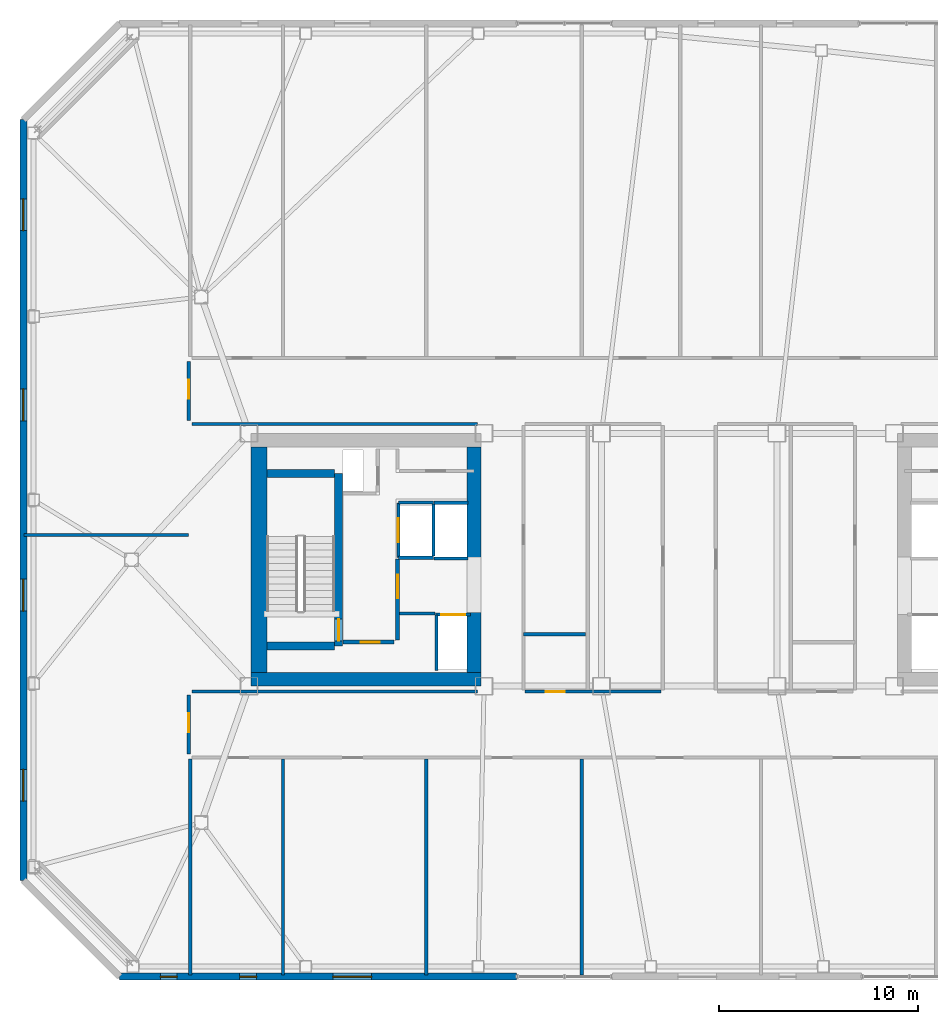
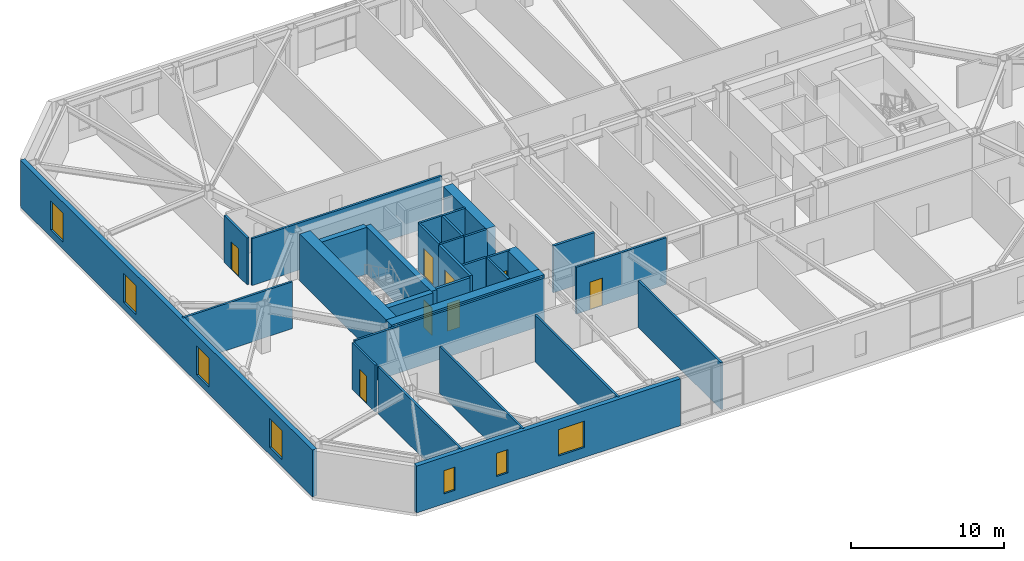
# One storey, part 10 of 18: 31 walls, 8 doors, 7 windows, 15 openings.
"""IFC4 building model written with IfcOpenShell, lengths in metres."""

import ifcopenshell
import ifcopenshell.guid

model = None  # the IFC model being written
_history = None  # IfcOwnerHistory: only IFC2X3 demands one
_inside = {}  # id of a spatial element -> (the spatial element, [elements in it])
_under = {}  # id of a project, library or spatial element -> (it, [spatial elements below it])
_declared = {}  # id of a project -> (the project, [libraries it declares])
_typed = {}  # id of a type object -> (the type object, [elements of that type])
_made_of = {}  # id of a material, layer set ... -> (it, [elements and type objects made of it])


def new_model(schema):
    """Start an empty IFC model of exactly this schema.

    Asked for "IFC4X3", IfcOpenShell would pick the latest addendum, in which some entities
    have other attributes; the version numbers below select the first issue.
    IFC2X3 requires an IfcOwnerHistory on every rooted entity: one is made here for all.
    """
    global model, _history
    if schema == "IFC4X3":
        model = ifcopenshell.file(schema_version=(4, 3, 0, 0))
    else:
        model = ifcopenshell.file(schema=schema)
    _inside.clear()
    _under.clear()
    _declared.clear()
    _typed.clear()
    _made_of.clear()
    _history = None
    if model.schema == "IFC2X3":
        org = make("IfcOrganization", Name="unknown")
        user = make(
            "IfcPersonAndOrganization",
            ThePerson=make("IfcPerson", FamilyName="unknown"),
            TheOrganization=org,
        )
        app = make(
            "IfcApplication",
            ApplicationDeveloper=org,
            Version="unknown",
            ApplicationFullName="unknown",
            ApplicationIdentifier="unknown",
        )
        _history = make(
            "IfcOwnerHistory",
            OwningUser=user,
            OwningApplication=app,
            ChangeAction="ADDED",
            CreationDate=0,
        )
    return model


def make(cls, **values):
    """One entity of the class cls with the attributes given. An attribute that is None is left unset."""
    return model.create_entity(
        cls, **{name: value for name, value in values.items() if value is not None}
    )


def rooted(cls, **values):
    """An entity with a GlobalId (a new one), such as an element, a storey or a relation."""
    return make(cls, GlobalId=ifcopenshell.guid.new(), OwnerHistory=_history, **values)


def si_unit(unit_type, name, prefix=None):
    """IfcSIUnit, for example si_unit("LENGTHUNIT", "METRE", prefix="MILLI")."""
    return make("IfcSIUnit", UnitType=unit_type, Prefix=prefix, Name=name)


def assignment(units):
    """IfcUnitAssignment: the units of a project."""
    return None if units is None else make("IfcUnitAssignment", Units=units)


def point(xyz):
    """IfcCartesianPoint."""
    return None if xyz is None else make("IfcCartesianPoint", Coordinates=xyz)


def direction(xyz):
    """IfcDirection."""
    return None if xyz is None else make("IfcDirection", DirectionRatios=xyz)


def frame(location, z_axis=None, x_axis=None):
    """IfcAxis2Placement3D, a coordinate frame: its origin and axes. An axis left out is left unset."""
    return make(
        "IfcAxis2Placement3D",
        Location=point(location),
        Axis=direction(z_axis),
        RefDirection=direction(x_axis),
    )


def frame_2d(location, x_axis=None):
    """IfcAxis2Placement2D, a coordinate frame in the plane: its origin and x axis."""
    return make(
        "IfcAxis2Placement2D", Location=point(location), RefDirection=direction(x_axis)
    )


def origin():
    """The frame at (0, 0, 0) with its axes left unset."""
    return frame((0.0, 0.0, 0.0))


def place(relative_to, where):
    """IfcLocalPlacement: puts the frame where relative to a parent placement (None: the world)."""
    return make(
        "IfcLocalPlacement", PlacementRelTo=relative_to, RelativePlacement=where
    )


def context(
    kind, dimensions, precision=None, world=None, true_north=None, identifier=None
):
    """IfcGeometricRepresentationContext, for example the 3D "Model" context."""
    return make(
        "IfcGeometricRepresentationContext",
        ContextIdentifier=identifier,
        ContextType=kind,
        CoordinateSpaceDimension=dimensions,
        Precision=precision,
        WorldCoordinateSystem=world,
        TrueNorth=true_north,
    )


def subcontext(parent, identifier, kind, view, scale=None):
    """IfcGeometricRepresentationSubContext, for example "Body" below "Model"."""
    return make(
        "IfcGeometricRepresentationSubContext",
        ContextIdentifier=identifier,
        ContextType=kind,
        ParentContext=parent,
        TargetScale=scale,
        TargetView=view,
    )


def project(units=None, contexts=None):
    """IfcProject with its units and contexts."""
    return rooted(
        "IfcProject",
        Name="project",
        RepresentationContexts=contexts,
        UnitsInContext=assignment(units),
    )


def spatial(cls, under=None, at=None, **own):
    """A site, building, storey or space (cls), placed at a placement, below another one or the project."""
    s = rooted(cls, ObjectPlacement=at, **own)
    if under is not None:
        _under.setdefault(under.id(), (under, []))[1].append(s)
    return s


def profile(cls, at=None, kind="AREA", **sizes):
    """A parametric profile (cls). Its sizes go by their IFC names, for example OverallWidth=200.0."""
    return make(cls, ProfileType=kind, Position=at, **sizes)


def rectangle(**sizes):
    """IfcRectangleProfileDef."""
    return profile("IfcRectangleProfileDef", **sizes)


def extrude(swept, where, along, depth):
    """IfcExtrudedAreaSolid: the profile swept, set in the frame where, extruded along a direction by depth."""
    return make(
        "IfcExtrudedAreaSolid",
        SweptArea=swept,
        Position=where,
        ExtrudedDirection=direction(along),
        Depth=depth,
    )


def shape(context_of_items, identifier, shape_type, items):
    """IfcShapeRepresentation: the items that make up one representation, for example the "Body"."""
    return make(
        "IfcShapeRepresentation",
        ContextOfItems=context_of_items,
        RepresentationIdentifier=identifier,
        RepresentationType=shape_type,
        Items=items,
    )


def material(Name=None, Category=None):
    """IfcMaterial."""
    return make("IfcMaterial", Name=Name, Category=Category)


def layer(
    of_material, thickness, ventilated=None, Name=None, Category=None, Priority=None
):
    """IfcMaterialLayer: one layer of a wall or slab, of a material (None: an air gap)."""
    return make(
        "IfcMaterialLayer",
        Material=of_material,
        LayerThickness=thickness,
        IsVentilated=ventilated,
        Name=Name,
        Category=Category,
        Priority=Priority,
    )


def layer_set(layers, Name=None):
    """IfcMaterialLayerSet."""
    return make("IfcMaterialLayerSet", MaterialLayers=layers, LayerSetName=Name)


def made_of(thing, what):
    """Note that an element or type object is made of a material, layer set ...; save() writes the relation."""
    if what is not None:
        _made_of.setdefault(what.id(), (what, []))[1].append(thing)
    return thing


def type_object(cls, material=None, **own):
    """A type object (cls), such as IfcWallType, which elements share."""
    return made_of(rooted(cls, **own), material)


def element(
    cls,
    number,
    at=None,
    inside=None,
    cuts=None,
    type_object=None,
    material=None,
    context=None,
    identifier="Body",
    shape_type=None,
    held_by="IfcProductDefinitionShape",
    body=None,
    shapes=None,
    **own,
):
    """One element of the class cls, such as IfcWall. Its Tag is "e" and its number.

    at: its placement. inside: the storey or other place that contains it. cuts: it is an
    opening in that element (IfcRelVoidsElement). A single representation is given by context,
    identifier, shape_type and body (its items); several are given by shapes. held_by: the class
    of the entity that holds the representations. save() writes the other relations.
    """
    e = rooted(cls, Tag="e%d" % number, ObjectPlacement=at, **own)
    if body is not None:
        shapes = [shape(context, identifier, shape_type, body)]
    if shapes is not None:
        e.Representation = make(held_by, Representations=shapes)
    if inside is not None:
        _inside.setdefault(inside.id(), (inside, []))[1].append(e)
    if cuts is not None:
        rooted(
            "IfcRelVoidsElement", RelatingBuildingElement=cuts, RelatedOpeningElement=e
        )
    if type_object is not None:
        _typed.setdefault(type_object.id(), (type_object, []))[1].append(e)
    return made_of(e, material)


def fill(opening, filler):
    """IfcRelFillsElement: the door or window that sits in an opening."""
    return rooted(
        "IfcRelFillsElement",
        RelatingOpeningElement=opening,
        RelatedBuildingElement=filler,
    )


def aggregate(whole, parts):
    """IfcRelAggregates: a whole, such as a stair, and the parts it consists of."""
    return rooted("IfcRelAggregates", RelatingObject=whole, RelatedObjects=parts)


def save(model, path):
    """Write the relations noted so far, then the file.

    IfcRelAggregates (storeys below a building ...), IfcRelContainedInSpatialStructure (elements
    in a storey), IfcRelDefinesByType, IfcRelAssociatesMaterial and IfcRelDeclares: one each for
    every whole, place, type object, material and project.
    """
    for whole, parts in _under.values():
        aggregate(whole, parts)
    for where, things in _inside.values():
        rooted(
            "IfcRelContainedInSpatialStructure",
            RelatedElements=things,
            RelatingStructure=where,
        )
    for kind, things in _typed.values():
        rooted("IfcRelDefinesByType", RelatedObjects=things, RelatingType=kind)
    for what, things in _made_of.values():
        rooted("IfcRelAssociatesMaterial", RelatedObjects=things, RelatingMaterial=what)
    for by, libraries in _declared.values():
        rooted("IfcRelDeclares", RelatingContext=by, RelatedDefinitions=libraries)
    model.write(path)


model = new_model("IFC4")

# Units and contexts
model_context = context("Model", 3, precision=1e-05, world=origin(), true_north=direction((0.0, 1.0)))
body_context = subcontext(model_context, "Body", "Model", "MODEL_VIEW")
ifc_project = project(units=[si_unit("LENGTHUNIT", "METRE"), si_unit("AREAUNIT", "SQUARE_METRE"), si_unit("VOLUMEUNIT", "CUBIC_METRE"), si_unit("PLANEANGLEUNIT", "RADIAN"), si_unit("MASSUNIT", "GRAM", prefix="KILO")], contexts=[model_context])

# Site, building, storey
site_placement = place(None, origin())
site = spatial("IfcSite", under=ifc_project, at=site_placement, CompositionType="ELEMENT")
building_placement = place(site_placement, origin())
building = spatial("IfcBuilding", under=site, at=building_placement, Name="Tavrogorsk Clinical Tower", CompositionType="ELEMENT")
storey_placement = place(building_placement, frame((0.0, 0.0, 192.199951171875)))
storey = spatial("IfcBuildingStorey", under=building, at=storey_placement, Name="L44", CompositionType="ELEMENT", Elevation=192.199951171875)

# Wall, opening, door
ifc_material_1 = material(Name="Concrete B60", Category="concrete")
ifc_layer_1 = layer(ifc_material_1, 0.199951171875)
ifc_layer_set_1 = layer_set([ifc_layer_1], Name="Concrete B60")
wall_type_1 = type_object("IfcWallType", Name="CoreFireWall_200", PredefinedType="SOLIDWALL", material=ifc_layer_set_1)
wall_1_placement = place(storey_placement, frame((-17.3798828125, -4.139892578125, 0.0), z_axis=(0.0, 0.0, 1.0), x_axis=(1.0, 0.0, 0.0)))
wall_1 = element("IfcWall", 1, at=wall_1_placement, inside=storey, type_object=wall_type_1, Name="L44 Core West South Core Room Fire Wall", PredefinedType="SOLIDWALL", context=body_context, shape_type="SweptSolid", body=[
    extrude(rectangle(XDim=2.554931640625, YDim=0.199951171875, at=frame_2d((1.27734375, 0.0))), origin(), (0.0, 0.0, 1.0), 3.739990234375),
])
opening_1_placement = place(wall_1_placement, frame((0.8798828125, 0.0, 0.0)))
opening_1 = element("IfcOpeningElement", 2, at=opening_1_placement, cuts=wall_1, Name="Opening ID-02", PredefinedType="OPENING", context=body_context, shape_type="SweptSolid", body=[
    extrude(rectangle(XDim=0.949951171875, YDim=2.199951171875, at=frame_2d((0.47509765625, 1.10009765625))), frame((0.0, 0.10986328125, 0.0), z_axis=(0.0, -1.0, 0.0), x_axis=(1.0, 0.0, 0.0)), (0.0, 0.0, 1.0), 0.219970703125),
])
ifc_material_2 = material(Name="Laminated timber leaf on aluminium frame", Category="wood")
door_type_1 = type_object("IfcDoorType", Name="InteriorDoor_ID02_950", OperationType="NOTDEFINED", PredefinedType="DOOR", material=ifc_material_2)
door_1_placement = place(opening_1_placement, origin())
door_1 = element("IfcDoor", 3, at=door_1_placement, inside=storey, type_object=door_type_1, Name="L44 Core West South Core Room Door", OperationType="SINGLE_SWING_RIGHT", OverallHeight=2.199951171875, OverallWidth=0.949951171875, PredefinedType="DOOR", context=body_context, shape_type="SweptSolid", body=[
    extrude(rectangle(XDim=0.949951171875, YDim=2.199951171875, at=frame_2d((0.47509765625, 1.10009765625))), frame((0.0, 0.02490234375, 0.0), z_axis=(0.0, -1.0, 0.0), x_axis=(1.0, 0.0, 0.0)), (0.0, 0.0, 1.0), 0.050048828125),
])
fill(opening_1, door_1)

wall_2_placement = place(storey_placement, frame((-14.639892578125, -4.034912109375, 0.0), z_axis=(0.0, 0.0, 1.0), x_axis=(0.0, 1.0, 0.0)))
wall_2 = element("IfcWall", 4, at=wall_2_placement, inside=storey, type_object=wall_type_1, Name="L44 Core West Firefighting Lobby Fire Wall", PredefinedType="SOLIDWALL", context=body_context, shape_type="SweptSolid", body=[
    extrude(rectangle(XDim=4.074951171875, YDim=0.199951171875, at=frame_2d((2.03759765625, 0.0))), origin(), (0.0, 0.0, 1.0), 3.739990234375),
])
opening_2_placement = place(wall_2_placement, frame((2.090087890625, 0.0, 0.0)))
opening_2 = element("IfcOpeningElement", 5, at=opening_2_placement, cuts=wall_2, Name="Opening FD-01", PredefinedType="OPENING", context=body_context, shape_type="SweptSolid", body=[
    extrude(rectangle(XDim=1.199951171875, YDim=2.199951171875, at=frame_2d((0.60009765625, 1.10009765625))), frame((0.0, 0.10986328125, 0.0), z_axis=(0.0, -1.0, 0.0), x_axis=(1.0, 0.0, 0.0)), (0.0, 0.0, 1.0), 0.219970703125),
])
ifc_material_3 = material(Name="Galvanised steel fire-rated door assembly", Category="steel")
door_type_2 = type_object("IfcDoorType", Name="FireDoor_FD01_1200", OperationType="NOTDEFINED", PredefinedType="DOOR", material=ifc_material_3)
door_2_placement = place(opening_2_placement, origin())
door_2 = element("IfcDoor", 6, at=door_2_placement, inside=storey, type_object=door_type_2, Name="L44 Core West Firefighting Lobby Entry Door", OperationType="SINGLE_SWING_RIGHT", OverallHeight=2.199951171875, OverallWidth=1.199951171875, PredefinedType="DOOR", context=body_context, shape_type="SweptSolid", body=[
    extrude(rectangle(XDim=1.199951171875, YDim=2.199951171875, at=frame_2d((0.60009765625, 1.10009765625))), frame((0.0, 0.02490234375, 0.0), z_axis=(0.0, -1.0, 0.0), x_axis=(1.0, 0.0, 0.0)), (0.0, 0.0, 1.0), 0.050048828125),
])
fill(opening_2, door_2)

# Wall
ifc_material_4 = material(Name="Lightweight concrete blockwork B15", Category="masonry")
ifc_layer_2 = layer(ifc_material_4, 0.159912109375)
ifc_layer_set_2 = layer_set([ifc_layer_2], Name="Lightweight concrete blockwork B15")
wall_type_2 = type_object("IfcWallType", Name="PartitionWall_160", PredefinedType="PARTITIONING", material=ifc_layer_set_2)
wall_3_placement = place(storey_placement, frame((-14.534912109375, -2.699951171875, 0.0), z_axis=(0.0, 0.0, 1.0), x_axis=(1.0, 0.0, 0.0)))
element("IfcWall", 7, at=wall_3_placement, inside=storey, type_object=wall_type_2, Name="L44 Core West Freed Low-Bank North Partition", PredefinedType="PARTITIONING", context=body_context, shape_type="SweptSolid", body=[
    extrude(rectangle(XDim=1.760009765625, YDim=0.159912109375, at=frame_2d((0.8798828125, 0.0))), origin(), (0.0, 0.0, 1.0), 3.739990234375),
])

# Wall, opening, door
wall_4_placement = place(storey_placement, frame((-25.1298828125, -9.764892578125, 0.0), z_axis=(0.0, 0.0, 1.0), x_axis=(0.0, 1.0, 0.0)))
wall_4 = element("IfcWall", 8, at=wall_4_placement, inside=storey, type_object=wall_type_2, Name="L44 Corridor Partition 01", PredefinedType="PARTITIONING", context=body_context, shape_type="SweptSolid", body=[
    extrude(rectangle(XDim=2.97998046875, YDim=0.159912109375, at=frame_2d((1.489990234375, 0.0))), origin(), (0.0, 0.0, 1.0), 3.739990234375),
])
opening_3_placement = place(wall_4_placement, frame((1.10009765625, 0.0, 0.0)))
opening_3 = element("IfcOpeningElement", 9, at=opening_3_placement, cuts=wall_4, Name="Opening ID-02", PredefinedType="OPENING", context=body_context, shape_type="SweptSolid", body=[
    extrude(rectangle(XDim=0.949951171875, YDim=2.199951171875, at=frame_2d((0.47509765625, 1.10009765625))), frame((0.0, 0.08984375, 0.0), z_axis=(0.0, -1.0, 0.0), x_axis=(1.0, 0.0, 0.0)), (0.0, 0.0, 1.0), 0.179931640625),
])
door_3_placement = place(opening_3_placement, origin())
door_3 = element("IfcDoor", 10, at=door_3_placement, inside=storey, type_object=door_type_1, Name="L44 W Solarium Day Room & Lounge 1 Door", OperationType="SINGLE_SWING_RIGHT", OverallHeight=2.199951171875, OverallWidth=0.949951171875, PredefinedType="DOOR", context=body_context, shape_type="SweptSolid", body=[
    extrude(rectangle(XDim=0.949951171875, YDim=2.199951171875, at=frame_2d((0.47509765625, 1.10009765625))), frame((0.0, 0.02490234375, 0.0), z_axis=(0.0, -1.0, 0.0), x_axis=(1.0, 0.0, 0.0)), (0.0, 0.0, 1.0), 0.050048828125),
])
fill(opening_3, door_3)

# Walls
for number, where, z_axis, x_axis, name in (
    (11, (-24.965087890625, -6.6201171875, 0.0), (0.0, 0.0, 1.0), (1.0, 0.0, 0.0), "L44 Corridor Partition 02"),
    (12, (-10.6298828125, 6.820068359375, 0.0), (0.0, 0.0, 1.0), (-1.0, 0.0, 0.0), "L44 Corridor Partition 03"),
):
    element("IfcWall", number, at=place(storey_placement, frame(where, z_axis=z_axis, x_axis=x_axis)), inside=storey, type_object=wall_type_2, Name=name, PredefinedType="PARTITIONING", context=body_context, shape_type="SweptSolid", body=[
        extrude(rectangle(XDim=14.335205078125, YDim=0.159912109375, at=frame_2d((7.16748046875, 0.0))), origin(), (0.0, 0.0, 1.0), 3.739990234375),
    ])

# Wall, opening, door
wall_5_placement = place(storey_placement, frame((-25.1298828125, 6.985107421875, 0.0), z_axis=(0.0, 0.0, 1.0), x_axis=(0.0, 1.0, 0.0)))
wall_5 = element("IfcWall", 13, at=wall_5_placement, inside=storey, type_object=wall_type_2, Name="L44 Corridor Partition 04", PredefinedType="PARTITIONING", context=body_context, shape_type="SweptSolid", body=[
    extrude(rectangle(XDim=2.97998046875, YDim=0.159912109375, at=frame_2d((1.489990234375, 0.0))), origin(), (0.0, 0.0, 1.0), 3.739990234375),
])
opening_4_placement = place(wall_5_placement, frame((1.10009765625, 0.0, 0.0)))
opening_4 = element("IfcOpeningElement", 14, at=opening_4_placement, cuts=wall_5, Name="Opening ID-02", PredefinedType="OPENING", context=body_context, shape_type="SweptSolid", body=[
    extrude(rectangle(XDim=0.949951171875, YDim=2.199951171875, at=frame_2d((0.47509765625, 1.10009765625))), frame((0.0, 0.08984375, 0.0), z_axis=(0.0, -1.0, 0.0), x_axis=(1.0, 0.0, 0.0)), (0.0, 0.0, 1.0), 0.179931640625),
])
door_4_placement = place(opening_4_placement, origin())
door_4 = element("IfcDoor", 15, at=door_4_placement, inside=storey, type_object=door_type_1, Name="L44 W Rehabilitation Therapy Suite 2 Door", OperationType="SINGLE_SWING_LEFT", OverallHeight=2.199951171875, OverallWidth=0.949951171875, PredefinedType="DOOR", context=body_context, shape_type="SweptSolid", body=[
    extrude(rectangle(XDim=0.949951171875, YDim=2.199951171875, at=frame_2d((0.47509765625, 1.10009765625))), frame((0.0, 0.02490234375, 0.0), z_axis=(0.0, -1.0, 0.0), x_axis=(1.0, 0.0, 0.0)), (0.0, 0.0, 1.0), 0.050048828125),
])
fill(opening_4, door_4)

wall_6_placement = place(storey_placement, frame((-8.235107421875, -6.6201171875, 0.0), z_axis=(0.0, 0.0, 1.0), x_axis=(1.0, 0.0, 0.0)))
wall_6 = element("IfcWall", 16, at=wall_6_placement, inside=storey, type_object=wall_type_2, Name="L44 Corridor Partition 18", PredefinedType="PARTITIONING", context=body_context, shape_type="SweptSolid", body=[
    extrude(rectangle(XDim=6.820068359375, YDim=0.159912109375, at=frame_2d((3.41015625, 0.0))), origin(), (0.0, 0.0, 1.0), 3.739990234375),
])
opening_5_placement = place(wall_6_placement, frame((1.029052734375, 0.0, 0.0)))
opening_5 = element("IfcOpeningElement", 17, at=opening_5_placement, cuts=wall_6, Name="Opening ID-02", PredefinedType="OPENING", context=body_context, shape_type="SweptSolid", body=[
    extrude(rectangle(XDim=0.949951171875, YDim=2.199951171875, at=frame_2d((0.47509765625, 1.10009765625))), frame((0.0, 0.08984375, 0.0), z_axis=(0.0, -1.0, 0.0), x_axis=(1.0, 0.0, 0.0)), (0.0, 0.0, 1.0), 0.179931640625),
])
door_5_placement = place(opening_5_placement, origin())
door_5 = element("IfcDoor", 18, at=door_5_placement, inside=storey, type_object=door_type_1, Name="L44 Accessible Patient Lavatory Door", OperationType="SINGLE_SWING_RIGHT", OverallHeight=2.199951171875, OverallWidth=0.949951171875, PredefinedType="DOOR", context=body_context, shape_type="SweptSolid", body=[
    extrude(rectangle(XDim=0.949951171875, YDim=2.199951171875, at=frame_2d((0.47509765625, 1.10009765625))), frame((0.0, 0.02490234375, 0.0), z_axis=(0.0, -1.0, 0.0), x_axis=(1.0, 0.0, 0.0)), (0.0, 0.0, 1.0), 0.050048828125),
])
fill(opening_5, door_5)

# Walls
for number, where, z_axis, x_axis, name in (
    (19, (-25.050048828125, -20.860107421875, 0.0), (0.0, 0.0, 1.0), (0.0, 1.0, 0.0), "L44 SW Wing Closure Partition"),
    (20, (-20.39990234375, -20.860107421875, 0.0), (0.0, 0.0, 1.0), (0.0, 1.0, 0.0), "L44 South Room Partition 1"),
    (21, (-13.199951171875, -20.860107421875, 0.0), (0.0, 0.0, 1.0), (0.0, 1.0, 0.0), "L44 South Room Partition 2"),
    (22, (-5.39990234375, -20.860107421875, 0.0), (0.0, 0.0, 1.0), (0.0, 1.0, 0.0), "L44 South Room Partition 3"),
):
    element("IfcWall", number, at=place(storey_placement, frame(where, z_axis=z_axis, x_axis=x_axis)), inside=storey, type_object=wall_type_2, Name=name, PredefinedType="PARTITIONING", context=body_context, shape_type="SweptSolid", body=[
        extrude(rectangle(XDim=10.84521484375, YDim=0.159912109375, at=frame_2d((5.422607421875, 0.0))), origin(), (0.0, 0.0, 1.0), 3.739990234375),
    ])
wall_7_placement = place(storey_placement, frame((-33.409912109375, 1.25, 0.0), z_axis=(0.0, 0.0, 1.0), x_axis=(1.0, 0.0, 0.0)))
element("IfcWall", 23, at=wall_7_placement, inside=storey, type_object=wall_type_2, Name="L44 W Wing Divider 1", PredefinedType="PARTITIONING", context=body_context, shape_type="SweptSolid", body=[
    extrude(rectangle(XDim=8.280029296875, YDim=0.159912109375, at=frame_2d((4.14013671875, 0.0))), origin(), (0.0, 0.0, 1.0), 3.739990234375),
])
ifc_material_5 = material(Name="Lightweight concrete blockwork B20", Category="masonry")
ifc_layer_3 = layer(ifc_material_5, 0.179931640625)
ifc_layer_set_3 = layer_set([ifc_layer_3], Name="Lightweight concrete blockwork B20")
wall_type_3 = type_object("IfcWallType", Name="PartitionWall_180", PredefinedType="PARTITIONING", material=ifc_layer_set_3)
wall_8_placement = place(storey_placement, frame((-8.31494140625, -3.75, 0.0), z_axis=(0.0, 0.0, 1.0), x_axis=(1.0, 0.0, 0.0)))
element("IfcWall", 24, at=wall_8_placement, inside=storey, type_object=wall_type_3, Name="L44 Central Spine Partition 3", PredefinedType="PARTITIONING", context=body_context, shape_type="SweptSolid", body=[
    extrude(rectangle(XDim=3.119873046875, YDim=0.179931640625, at=frame_2d((1.56005859375, 0.0))), origin(), (0.0, 0.0, 1.0), 3.739990234375),
])

# Wall, openings, windows
ifc_material_6 = material(Name="Precast concrete B45 with limestone cladding", Category="masonry")
ifc_layer_4 = layer(ifc_material_6, 0.340087890625)
ifc_layer_set_4 = layer_set([ifc_layer_4], Name="Precast concrete B45 with limestone cladding")
wall_type_4 = type_object("IfcWallType", Name="PrecastLimestoneWall_340", PredefinedType="STANDARD", material=ifc_layer_set_4)
wall_9_placement = place(storey_placement, frame((-28.60009765625, -20.929931640625, 0.0), z_axis=(0.0, 0.0, 1.0), x_axis=(1.0, 0.0, 0.0)))
wall_9 = element("IfcWall", 25, at=wall_9_placement, inside=storey, type_object=wall_type_4, Name="L44 S Limestone Facade Wall 1", PredefinedType="STANDARD", context=body_context, shape_type="SweptSolid", body=[
    extrude(rectangle(XDim=19.937255859375, YDim=0.340087890625, at=frame_2d((9.96875, 0.0))), origin(), (0.0, 0.0, 1.0), 3.739990234375),
])
opening_6_placement = place(wall_9_placement, frame((2.0439453125, 0.0, 0.800048828125)))
opening_6 = element("IfcOpeningElement", 26, at=opening_6_placement, cuts=wall_9, Name="Opening WN-06", PredefinedType="OPENING", context=body_context, shape_type="SweptSolid", body=[
    extrude(rectangle(XDim=0.85009765625, YDim=1.85009765625, at=frame_2d((0.425048828125, 0.925048828125))), frame((0.0, 0.179931640625, 0.0), z_axis=(0.0, -1.0, 0.0), x_axis=(1.0, 0.0, 0.0)), (0.0, 0.0, 1.0), 0.360107421875),
])
opening_7_placement = place(wall_9_placement, frame((6.02880859375, 0.0, 0.800048828125)))
opening_7 = element("IfcOpeningElement", 27, at=opening_7_placement, cuts=wall_9, Name="Opening WN-06", PredefinedType="OPENING", context=body_context, shape_type="SweptSolid", body=[
    extrude(rectangle(XDim=0.85009765625, YDim=1.85009765625, at=frame_2d((0.425048828125, 0.925048828125))), frame((0.0, 0.179931640625, 0.0), z_axis=(0.0, -1.0, 0.0), x_axis=(1.0, 0.0, 0.0)), (0.0, 0.0, 1.0), 0.360107421875),
])
opening_8_placement = place(wall_9_placement, frame((10.706787109375, 0.0, 0.800048828125)))
opening_8 = element("IfcOpeningElement", 28, at=opening_8_placement, cuts=wall_9, Name="Opening WN-13", PredefinedType="OPENING", context=body_context, shape_type="SweptSolid", body=[
    extrude(rectangle(XDim=1.949951171875, YDim=2.10009765625, at=frame_2d((0.97509765625, 1.050048828125))), frame((0.0, 0.179931640625, 0.0), z_axis=(0.0, -1.0, 0.0), x_axis=(1.0, 0.0, 0.0)), (0.0, 0.0, 1.0), 0.360107421875),
])
ifc_material_7 = material(Name="Thermally broken aluminium frame and triple IGU", Category="aluminium")
window_type_1 = type_object("IfcWindowType", Name="ExamRoomWin_1950x2100", PartitioningType="DOUBLE_PANEL_VERTICAL", PredefinedType="WINDOW", material=ifc_material_7)
window_1_placement = place(opening_8_placement, origin())
window_1 = element("IfcWindow", 29, at=window_1_placement, inside=storey, type_object=window_type_1, Name="L44 S Chicago Window 03", OverallHeight=2.10009765625, OverallWidth=1.949951171875, PartitioningType="SINGLE_PANEL", PredefinedType="WINDOW", context=body_context, shape_type="SweptSolid", body=[
    extrude(rectangle(XDim=1.949951171875, YDim=2.10009765625, at=frame_2d((0.97509765625, 1.050048828125))), frame((0.0, 0.030029296875, 0.0), z_axis=(0.0, -1.0, 0.0), x_axis=(1.0, 0.0, 0.0)), (0.0, 0.0, 1.0), 0.06005859375),
])
fill(opening_8, window_1)
ifc_material_8 = material(Name="Thermally broken aluminium frame and triple IGU", Category="aluminium")
window_type_2 = type_object("IfcWindowType", Name="MullionSubWin_850x1850", PartitioningType="SINGLE_PANEL", PredefinedType="WINDOW", material=ifc_material_8)
window_2_placement = place(opening_6_placement, origin())
window_2 = element("IfcWindow", 30, at=window_2_placement, inside=storey, type_object=window_type_2, Name="L44 S Mullion Split Window 01A", OverallHeight=1.85009765625, OverallWidth=0.85009765625, PartitioningType="SINGLE_PANEL", PredefinedType="WINDOW", context=body_context, shape_type="SweptSolid", body=[
    extrude(rectangle(XDim=0.85009765625, YDim=1.85009765625, at=frame_2d((0.425048828125, 0.925048828125))), frame((0.0, 0.030029296875, 0.0), z_axis=(0.0, -1.0, 0.0), x_axis=(1.0, 0.0, 0.0)), (0.0, 0.0, 1.0), 0.06005859375),
])
fill(opening_6, window_2)
window_3_placement = place(opening_7_placement, origin())
window_3 = element("IfcWindow", 31, at=window_3_placement, inside=storey, type_object=window_type_2, Name="L44 S Mullion Split Window 02A", OverallHeight=1.85009765625, OverallWidth=0.85009765625, PartitioningType="SINGLE_PANEL", PredefinedType="WINDOW", context=body_context, shape_type="SweptSolid", body=[
    extrude(rectangle(XDim=0.85009765625, YDim=1.85009765625, at=frame_2d((0.425048828125, 0.925048828125))), frame((0.0, 0.030029296875, 0.0), z_axis=(0.0, -1.0, 0.0), x_axis=(1.0, 0.0, 0.0)), (0.0, 0.0, 1.0), 0.06005859375),
])
fill(opening_7, window_3)

wall_10_placement = place(storey_placement, frame((-33.429931640625, 22.10009765625, 0.0), z_axis=(0.0, 0.0, 1.0), x_axis=(0.0, -1.0, 0.0)))
wall_10 = element("IfcWall", 32, at=wall_10_placement, inside=storey, type_object=wall_type_4, Name="L44 W Pleated Limestone Wing Wall", PredefinedType="STANDARD", context=body_context, shape_type="SweptSolid", body=[
    extrude(rectangle(XDim=38.2001953125, YDim=0.340087890625, at=frame_2d((19.10009765625, 0.0))), origin(), (0.0, 0.0, 1.0), 3.739990234375),
])
opening_9_placement = place(wall_10_placement, frame((3.97509765625, 0.0, 0.580078125)))
opening_9 = element("IfcOpeningElement", 33, at=opening_9_placement, cuts=wall_10, Name="Opening WN-07", PredefinedType="OPENING", context=body_context, shape_type="SweptSolid", body=[
    extrude(rectangle(XDim=1.60009765625, YDim=2.300048828125, at=frame_2d((0.800048828125, 1.14990234375))), frame((0.0, 0.179931640625, 0.0), z_axis=(0.0, -1.0, 0.0), x_axis=(1.0, 0.0, 0.0)), (0.0, 0.0, 1.0), 0.360107421875),
])
opening_10_placement = place(wall_10_placement, frame((13.52490234375, 0.0, 0.580078125)))
opening_10 = element("IfcOpeningElement", 34, at=opening_10_placement, cuts=wall_10, Name="Opening WN-07", PredefinedType="OPENING", context=body_context, shape_type="SweptSolid", body=[
    extrude(rectangle(XDim=1.60009765625, YDim=2.300048828125, at=frame_2d((0.800048828125, 1.14990234375))), frame((0.0, 0.179931640625, 0.0), z_axis=(0.0, -1.0, 0.0), x_axis=(1.0, 0.0, 0.0)), (0.0, 0.0, 1.0), 0.360107421875),
])
opening_11_placement = place(wall_10_placement, frame((23.074951171875, 0.0, 0.580078125)))
opening_11 = element("IfcOpeningElement", 35, at=opening_11_placement, cuts=wall_10, Name="Opening WN-07", PredefinedType="OPENING", context=body_context, shape_type="SweptSolid", body=[
    extrude(rectangle(XDim=1.60009765625, YDim=2.300048828125, at=frame_2d((0.800048828125, 1.14990234375))), frame((0.0, 0.179931640625, 0.0), z_axis=(0.0, -1.0, 0.0), x_axis=(1.0, 0.0, 0.0)), (0.0, 0.0, 1.0), 0.360107421875),
])
opening_12_placement = place(wall_10_placement, frame((32.625, 0.0, 0.580078125)))
opening_12 = element("IfcOpeningElement", 36, at=opening_12_placement, cuts=wall_10, Name="Opening WN-07", PredefinedType="OPENING", context=body_context, shape_type="SweptSolid", body=[
    extrude(rectangle(XDim=1.60009765625, YDim=2.300048828125, at=frame_2d((0.800048828125, 1.14990234375))), frame((0.0, 0.179931640625, 0.0), z_axis=(0.0, -1.0, 0.0), x_axis=(1.0, 0.0, 0.0)), (0.0, 0.0, 1.0), 0.360107421875),
])
ifc_material_9 = material(Name="Thermally broken aluminium frame and triple IGU", Category="aluminium")
window_type_3 = type_object("IfcWindowType", Name="PleatSlotWin_1600x2300", PartitioningType="SINGLE_PANEL", PredefinedType="WINDOW", material=ifc_material_9)
window_4_placement = place(opening_9_placement, origin())
window_4 = element("IfcWindow", 37, at=window_4_placement, inside=storey, type_object=window_type_3, Name="L44 W Pleat Slot Window 1", OverallHeight=2.300048828125, OverallWidth=1.60009765625, PartitioningType="SINGLE_PANEL", PredefinedType="WINDOW", context=body_context, shape_type="SweptSolid", body=[
    extrude(rectangle(XDim=1.60009765625, YDim=2.300048828125, at=frame_2d((0.800048828125, 1.14990234375))), frame((0.0, 0.030029296875, 0.0), z_axis=(0.0, -1.0, 0.0), x_axis=(1.0, 0.0, 0.0)), (0.0, 0.0, 1.0), 0.06005859375),
])
fill(opening_9, window_4)
window_5_placement = place(opening_10_placement, origin())
window_5 = element("IfcWindow", 38, at=window_5_placement, inside=storey, type_object=window_type_3, Name="L44 W Pleat Slot Window 2", OverallHeight=2.300048828125, OverallWidth=1.60009765625, PartitioningType="SINGLE_PANEL", PredefinedType="WINDOW", context=body_context, shape_type="SweptSolid", body=[
    extrude(rectangle(XDim=1.60009765625, YDim=2.300048828125, at=frame_2d((0.800048828125, 1.14990234375))), frame((0.0, 0.030029296875, 0.0), z_axis=(0.0, -1.0, 0.0), x_axis=(1.0, 0.0, 0.0)), (0.0, 0.0, 1.0), 0.06005859375),
])
fill(opening_10, window_5)
window_6_placement = place(opening_11_placement, origin())
window_6 = element("IfcWindow", 39, at=window_6_placement, inside=storey, type_object=window_type_3, Name="L44 W Pleat Slot Window 3", OverallHeight=2.300048828125, OverallWidth=1.60009765625, PartitioningType="SINGLE_PANEL", PredefinedType="WINDOW", context=body_context, shape_type="SweptSolid", body=[
    extrude(rectangle(XDim=1.60009765625, YDim=2.300048828125, at=frame_2d((0.800048828125, 1.14990234375))), frame((0.0, 0.030029296875, 0.0), z_axis=(0.0, -1.0, 0.0), x_axis=(1.0, 0.0, 0.0)), (0.0, 0.0, 1.0), 0.06005859375),
])
fill(opening_11, window_6)
window_7_placement = place(opening_12_placement, origin())
window_7 = element("IfcWindow", 40, at=window_7_placement, inside=storey, type_object=window_type_3, Name="L44 W Pleat Slot Window 4", OverallHeight=2.300048828125, OverallWidth=1.60009765625, PartitioningType="SINGLE_PANEL", PredefinedType="WINDOW", context=body_context, shape_type="SweptSolid", body=[
    extrude(rectangle(XDim=1.60009765625, YDim=2.300048828125, at=frame_2d((0.800048828125, 1.14990234375))), frame((0.0, 0.030029296875, 0.0), z_axis=(0.0, -1.0, 0.0), x_axis=(1.0, 0.0, 0.0)), (0.0, 0.0, 1.0), 0.06005859375),
])
fill(opening_12, window_7)

# Wall, opening, door
ifc_material_10 = material(Name="Lightweight concrete blockwork B25", Category="masonry")
ifc_layer_5 = layer(ifc_material_10, 0.159912109375)
ifc_layer_set_5 = layer_set([ifc_layer_5], Name="Lightweight concrete blockwork B25")
wall_type_5 = type_object("IfcWallType", Name="ShaftWall_160", PredefinedType="PARTITIONING", material=ifc_layer_set_5)
wall_11_placement = place(storey_placement, frame((-14.60009765625, 0.1201171875, 0.0), z_axis=(0.0, 0.0, 1.0), x_axis=(0.0, 1.0, 0.0)))
wall_11 = element("IfcWall", 41, at=wall_11_placement, inside=storey, type_object=wall_type_5, Name="L44 FFL-W Firefighting Lift Front Wall", PredefinedType="PARTITIONING", context=body_context, shape_type="SweptSolid", body=[
    extrude(rectangle(XDim=2.739990234375, YDim=0.159912109375, at=frame_2d((1.3701171875, 0.0))), origin(), (0.0, 0.0, 1.0), 3.739990234375),
])
opening_13_placement = place(wall_11_placement, frame((0.77001953125, 0.0, 0.0)))
opening_13 = element("IfcOpeningElement", 42, at=opening_13_placement, cuts=wall_11, Name="Opening LD", PredefinedType="OPENING", context=body_context, shape_type="SweptSolid", body=[
    extrude(rectangle(XDim=1.199951171875, YDim=2.199951171875, at=frame_2d((0.60009765625, 1.10009765625))), frame((0.0, 0.08984375, 0.0), z_axis=(0.0, -1.0, 0.0), x_axis=(1.0, 0.0, 0.0)), (0.0, 0.0, 1.0), 0.179931640625),
])
ifc_material_11 = material(Name="Brushed stainless steel AISI 304 sliding doors", Category="steel")
door_type_3 = type_object("IfcDoorType", Name="LiftLandingDoor_LD_1200", OperationType="SLIDING_TO_LEFT", PredefinedType="DOOR", material=ifc_material_11)
door_6_placement = place(opening_13_placement, origin())
door_6 = element("IfcDoor", 43, at=door_6_placement, inside=storey, type_object=door_type_3, Name="L44 FFL-W Sliding Lift Landing Door", OperationType="SLIDING_TO_LEFT", OverallHeight=2.199951171875, OverallWidth=1.199951171875, PredefinedType="DOOR", context=body_context, shape_type="SweptSolid", body=[
    extrude(rectangle(XDim=1.199951171875, YDim=2.199951171875, at=frame_2d((0.60009765625, 1.10009765625))), frame((0.0, 0.02490234375, 0.0), z_axis=(0.0, -1.0, 0.0), x_axis=(1.0, 0.0, 0.0)), (0.0, 0.0, 1.0), 0.050048828125),
])
fill(opening_13, door_6)

# Walls
for number, where, z_axis, x_axis, name in (
    (44, (-14.60009765625, 0.10009765625, 0.0), (0.0, 0.0, 1.0), (1.0, 0.0, 0.0), "L44 FFL-W Shaft South Wall"),
    (45, (-14.60009765625, 2.8798828125, 0.0), (0.0, 0.0, 1.0), (1.0, 0.0, 0.0), "L44 FFL-W Shaft North Wall"),
):
    element("IfcWall", number, at=place(storey_placement, frame(where, z_axis=z_axis, x_axis=x_axis)), inside=storey, type_object=wall_type_5, Name=name, PredefinedType="PARTITIONING", context=body_context, shape_type="SweptSolid", body=[
        extrude(rectangle(XDim=1.760009765625, YDim=0.159912109375, at=frame_2d((0.8798828125, 0.0))), origin(), (0.0, 0.0, 1.0), 3.739990234375),
    ])
wall_12_placement = place(storey_placement, frame((-12.840087890625, 0.179931640625, 0.0), z_axis=(0.0, 0.0, 1.0), x_axis=(0.0, 1.0, 0.0)))
element("IfcWall", 46, at=wall_12_placement, inside=storey, type_object=wall_type_5, Name="L44 FFL-W Shaft Back Wall", PredefinedType="PARTITIONING", context=body_context, shape_type="SweptSolid", body=[
    extrude(rectangle(XDim=2.6201171875, YDim=0.159912109375, at=frame_2d((1.31005859375, 0.0))), origin(), (0.0, 0.0, 1.0), 3.739990234375),
])

# Wall, opening, door
wall_13_placement = place(storey_placement, frame((-12.72998046875, -2.75, 0.0), z_axis=(0.0, 0.0, 1.0), x_axis=(1.0, 0.0, 0.0)))
wall_13 = element("IfcWall", 47, at=wall_13_placement, inside=storey, type_object=wall_type_5, Name="L44 LP-M1 Lift Shaft Portal Wall", PredefinedType="PARTITIONING", context=body_context, shape_type="SweptSolid", body=[
    extrude(rectangle(XDim=1.760009765625, YDim=0.159912109375, at=frame_2d((0.8798828125, 0.0))), origin(), (0.0, 0.0, 1.0), 3.739990234375),
])
opening_14_placement = place(wall_13_placement, frame((0.280029296875, 0.0, 0.0)))
opening_14 = element("IfcOpeningElement", 48, at=opening_14_placement, cuts=wall_13, Name="Opening LD", PredefinedType="OPENING", context=body_context, shape_type="SweptSolid", body=[
    extrude(rectangle(XDim=1.199951171875, YDim=2.199951171875, at=frame_2d((0.60009765625, 1.10009765625))), frame((0.0, 0.08984375, 0.0), z_axis=(0.0, -1.0, 0.0), x_axis=(1.0, 0.0, 0.0)), (0.0, 0.0, 1.0), 0.179931640625),
])
door_7_placement = place(opening_14_placement, origin())
door_7 = element("IfcDoor", 49, at=door_7_placement, inside=storey, type_object=door_type_3, Name="L44 LP-M1 Sliding Lift Landing Door", OperationType="SLIDING_TO_LEFT", OverallHeight=2.199951171875, OverallWidth=1.199951171875, PredefinedType="DOOR", context=body_context, shape_type="SweptSolid", body=[
    extrude(rectangle(XDim=1.199951171875, YDim=2.199951171875, at=frame_2d((0.60009765625, 1.10009765625))), frame((0.0, 0.02490234375, 0.0), z_axis=(0.0, -1.0, 0.0), x_axis=(1.0, 0.0, 0.0)), (0.0, 0.0, 1.0), 0.050048828125),
])
fill(opening_14, door_7)

# Walls
for number, where, z_axis, x_axis, name in (
    (50, (-12.820068359375, 0.06005859375, 0.0), (0.0, 0.0, 1.0), (1.0, 0.0, 0.0), "L44 LP-H1 High-Zone Lift Portal Wall"),
    (51, (-12.820068359375, 2.860107421875, 0.0), (0.0, 0.0, 1.0), (1.0, 0.0, 0.0), "L44 LP-H1 High-Zone Lift Rear Wall"),
):
    element("IfcWall", number, at=place(storey_placement, frame(where, z_axis=z_axis, x_axis=x_axis)), inside=storey, type_object=wall_type_5, Name=name, PredefinedType="PARTITIONING", context=body_context, shape_type="SweptSolid", body=[
        extrude(rectangle(XDim=1.719970703125, YDim=0.159912109375, at=frame_2d((0.85986328125, 0.0))), origin(), (0.0, 0.0, 1.0), 3.739990234375),
    ])
wall_14_placement = place(storey_placement, frame((-12.68994140625, -5.56005859375, 0.0), z_axis=(0.0, 0.0, 1.0), x_axis=(0.0, 1.0, 0.0)))
element("IfcWall", 52, at=wall_14_placement, inside=storey, type_object=wall_type_5, Name="L44 Core West Freed Low-Bank Shaft Divider", PredefinedType="PARTITIONING", context=body_context, shape_type="SweptSolid", body=[
    extrude(rectangle(XDim=2.775146484375, YDim=0.159912109375, at=frame_2d((1.3876953125, 0.0))), origin(), (0.0, 0.0, 1.0), 3.739990234375),
])

# Wall, opening, door
ifc_material_12 = material(Name="Concrete B80", Category="concrete")
ifc_layer_6 = layer(ifc_material_12, 0.39990234375)
ifc_layer_set_6 = layer_set([ifc_layer_6], Name="Concrete B80")
wall_type_6 = type_object("IfcWallType", Name="ShearWall_400", PredefinedType="SHEAR", material=ifc_layer_set_6)
wall_15_placement = place(storey_placement, frame((-17.60009765625, -4.324951171875, 0.0), z_axis=(0.0, 0.0, 1.0), x_axis=(0.0, 1.0, 0.0)))
wall_15 = element("IfcWall", 53, at=wall_15_placement, inside=storey, type_object=wall_type_6, Name="L44 Core West Stair Shaft Inner Shear Wall", PredefinedType="SHEAR", context=body_context, shape_type="SweptSolid", body=[
    extrude(rectangle(XDim=8.64990234375, YDim=0.39990234375, at=frame_2d((4.324951171875, 0.0))), origin(), (0.0, 0.0, 1.0), 3.739990234375),
])
opening_15_placement = place(wall_15_placement, frame((0.25, 0.0, 0.0)))
opening_15 = element("IfcOpeningElement", 54, at=opening_15_placement, cuts=wall_15, Name="Opening SD-01", PredefinedType="OPENING", context=body_context, shape_type="SweptSolid", body=[
    extrude(rectangle(XDim=1.10009765625, YDim=2.199951171875, at=frame_2d((0.550048828125, 1.10009765625))), frame((0.0, 0.2099609375, 0.0), z_axis=(0.0, -1.0, 0.0), x_axis=(1.0, 0.0, 0.0)), (0.0, 0.0, 1.0), 0.419921875),
])
ifc_material_13 = material(Name="Galvanised steel smoke-tight fire door assembly", Category="steel")
door_type_4 = type_object("IfcDoorType", Name="StairFireDoor_SD01_1100", OperationType="NOTDEFINED", PredefinedType="DOOR", material=ifc_material_13)
door_8_placement = place(opening_15_placement, origin())
door_8 = element("IfcDoor", 55, at=door_8_placement, inside=storey, type_object=door_type_4, Name="L44 ST-W Exit Stair Door", OperationType="SINGLE_SWING_LEFT", OverallHeight=2.199951171875, OverallWidth=1.10009765625, PredefinedType="DOOR", context=body_context, shape_type="SweptSolid", body=[
    extrude(rectangle(XDim=1.10009765625, YDim=2.199951171875, at=frame_2d((0.550048828125, 1.10009765625))), frame((0.0, 0.02490234375, 0.0), z_axis=(0.0, -1.0, 0.0), x_axis=(1.0, 0.0, 0.0)), (0.0, 0.0, 1.0), 0.050048828125),
])
fill(opening_15, door_8)

# Walls
for number, where, z_axis, x_axis, name in (
    (56, (-21.199951171875, -4.324951171875, 0.0), (0.0, 0.0, 1.0), (1.0, 0.0, 0.0), "L44 Core West Stair Shaft South Shear Wall"),
    (57, (-21.199951171875, 4.324951171875, 0.0), (0.0, 0.0, 1.0), (1.0, 0.0, 0.0), "L44 Core West Stair Shaft North Shear Wall"),
):
    element("IfcWall", number, at=place(storey_placement, frame(where, z_axis=z_axis, x_axis=x_axis)), inside=storey, type_object=wall_type_6, Name=name, PredefinedType="SHEAR", context=body_context, shape_type="SweptSolid", body=[
        extrude(rectangle(XDim=3.39990234375, YDim=0.39990234375, at=frame_2d((1.699951171875, 0.0))), origin(), (0.0, 0.0, 1.0), 3.739990234375),
    ])
ifc_material_14 = material(Name="Concrete B80", Category="concrete")
ifc_layer_7 = layer(ifc_material_14, 0.699951171875)
ifc_layer_set_7 = layer_set([ifc_layer_7], Name="Concrete B80")
wall_type_7 = type_object("IfcWallType", Name="ShearWall_700", PredefinedType="SHEAR", material=ifc_layer_set_7)
wall_16_placement = place(storey_placement, frame((-22.0, -6.0, 0.0), z_axis=(0.0, 0.0, 1.0), x_axis=(1.0, 0.0, 0.0)))
element("IfcWall", 58, at=wall_16_placement, inside=storey, type_object=wall_type_7, Name="L44 Core West South Shear Wall", PredefinedType="SHEAR", context=body_context, shape_type="SweptSolid", body=[
    extrude(rectangle(XDim=11.550048828125, YDim=0.699951171875, at=frame_2d((5.77490234375, 0.0))), origin(), (0.0, 0.0, 1.0), 3.739990234375),
])
wall_17_placement = place(storey_placement, frame((-10.800048828125, -5.64990234375, 0.0), z_axis=(0.0, 0.0, 1.0), x_axis=(0.0, 1.0, 0.0)))
element("IfcWall", 59, at=wall_17_placement, inside=storey, type_object=wall_type_7, Name="L44 Core West Inner South Pier", PredefinedType="SHEAR", context=body_context, shape_type="SweptSolid", body=[
    extrude(rectangle(XDim=3.0, YDim=0.699951171875, at=frame_2d((1.5, 0.0))), origin(), (0.0, 0.0, 1.0), 3.739990234375),
])
wall_18_placement = place(storey_placement, frame((-10.800048828125, 0.050048828125, 0.0), z_axis=(0.0, 0.0, 1.0), x_axis=(0.0, 1.0, 0.0)))
element("IfcWall", 60, at=wall_18_placement, inside=storey, type_object=wall_type_7, Name="L44 Core West Inner North Pier", PredefinedType="SHEAR", context=body_context, shape_type="SweptSolid", body=[
    extrude(rectangle(XDim=5.599853515625, YDim=0.699951171875, at=frame_2d((2.7998046875, 0.0))), origin(), (0.0, 0.0, 1.0), 3.739990234375),
])
ifc_material_15 = material(Name="Concrete B80", Category="concrete")
ifc_layer_8 = layer(ifc_material_15, 0.800048828125)
ifc_layer_set_8 = layer_set([ifc_layer_8], Name="Concrete B80")
wall_type_8 = type_object("IfcWallType", Name="ShearWall_800", PredefinedType="SHEAR", material=ifc_layer_set_8)
wall_19_placement = place(storey_placement, frame((-21.60009765625, -5.64990234375, 0.0), z_axis=(0.0, 0.0, 1.0), x_axis=(0.0, 1.0, 0.0)))
element("IfcWall", 61, at=wall_19_placement, inside=storey, type_object=wall_type_8, Name="L44 Core West End Shear Wall", PredefinedType="SHEAR", context=body_context, shape_type="SweptSolid", body=[
    extrude(rectangle(XDim=11.2998046875, YDim=0.800048828125, at=frame_2d((5.64990234375, 0.0))), origin(), (0.0, 0.0, 1.0), 3.739990234375),
])

save(model, "model.ifc")
